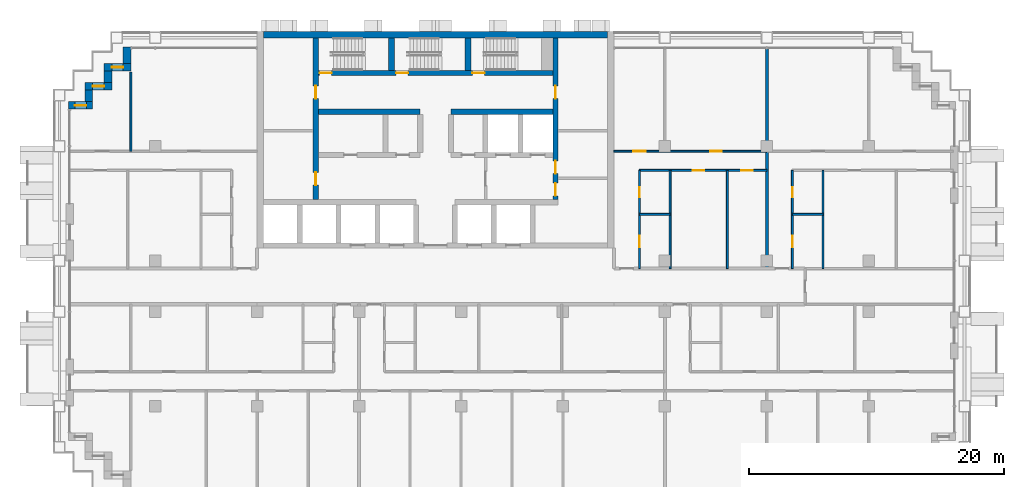
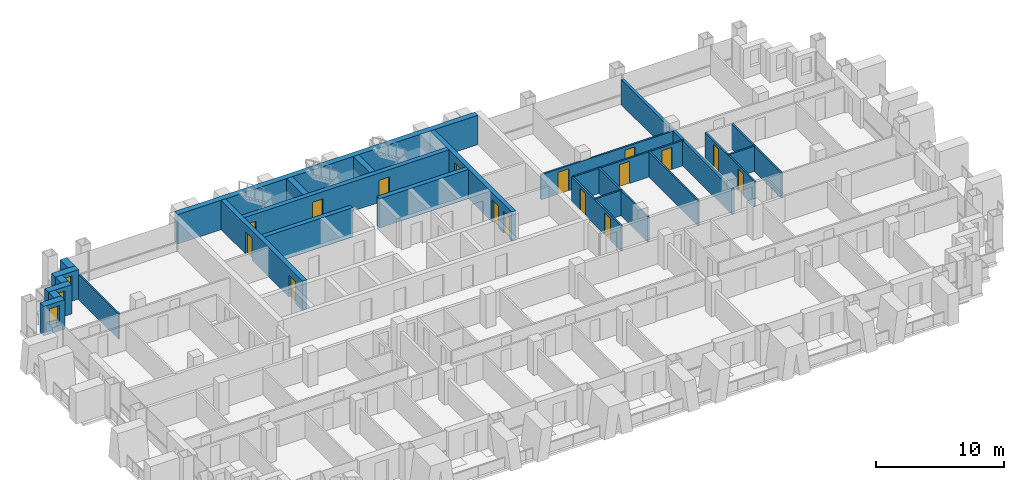
# One storey, part 12 of 18: 25 walls, 16 doors, 3 windows, 19 openings.
"""IFC4 building model written with IfcOpenShell, lengths in metres."""

import ifcopenshell
import ifcopenshell.guid

model = None  # the IFC model being written
_history = None  # IfcOwnerHistory: only IFC2X3 demands one
_inside = {}  # id of a spatial element -> (the spatial element, [elements in it])
_under = {}  # id of a project, library or spatial element -> (it, [spatial elements below it])
_declared = {}  # id of a project -> (the project, [libraries it declares])
_typed = {}  # id of a type object -> (the type object, [elements of that type])
_made_of = {}  # id of a material, layer set ... -> (it, [elements and type objects made of it])


def new_model(schema):
    """Start an empty IFC model of exactly this schema.

    Asked for "IFC4X3", IfcOpenShell would pick the latest addendum, in which some entities
    have other attributes; the version numbers below select the first issue.
    IFC2X3 requires an IfcOwnerHistory on every rooted entity: one is made here for all.
    """
    global model, _history
    if schema == "IFC4X3":
        model = ifcopenshell.file(schema_version=(4, 3, 0, 0))
    else:
        model = ifcopenshell.file(schema=schema)
    _inside.clear()
    _under.clear()
    _declared.clear()
    _typed.clear()
    _made_of.clear()
    _history = None
    if model.schema == "IFC2X3":
        org = make("IfcOrganization", Name="unknown")
        user = make(
            "IfcPersonAndOrganization",
            ThePerson=make("IfcPerson", FamilyName="unknown"),
            TheOrganization=org,
        )
        app = make(
            "IfcApplication",
            ApplicationDeveloper=org,
            Version="unknown",
            ApplicationFullName="unknown",
            ApplicationIdentifier="unknown",
        )
        _history = make(
            "IfcOwnerHistory",
            OwningUser=user,
            OwningApplication=app,
            ChangeAction="ADDED",
            CreationDate=0,
        )
    return model


def make(cls, **values):
    """One entity of the class cls with the attributes given. An attribute that is None is left unset."""
    return model.create_entity(
        cls, **{name: value for name, value in values.items() if value is not None}
    )


def rooted(cls, **values):
    """An entity with a GlobalId (a new one), such as an element, a storey or a relation."""
    return make(cls, GlobalId=ifcopenshell.guid.new(), OwnerHistory=_history, **values)


def si_unit(unit_type, name, prefix=None):
    """IfcSIUnit, for example si_unit("LENGTHUNIT", "METRE", prefix="MILLI")."""
    return make("IfcSIUnit", UnitType=unit_type, Prefix=prefix, Name=name)


def assignment(units):
    """IfcUnitAssignment: the units of a project."""
    return None if units is None else make("IfcUnitAssignment", Units=units)


def point(xyz):
    """IfcCartesianPoint."""
    return None if xyz is None else make("IfcCartesianPoint", Coordinates=xyz)


def direction(xyz):
    """IfcDirection."""
    return None if xyz is None else make("IfcDirection", DirectionRatios=xyz)


def frame(location, z_axis=None, x_axis=None):
    """IfcAxis2Placement3D, a coordinate frame: its origin and axes. An axis left out is left unset."""
    return make(
        "IfcAxis2Placement3D",
        Location=point(location),
        Axis=direction(z_axis),
        RefDirection=direction(x_axis),
    )


def frame_2d(location, x_axis=None):
    """IfcAxis2Placement2D, a coordinate frame in the plane: its origin and x axis."""
    return make(
        "IfcAxis2Placement2D", Location=point(location), RefDirection=direction(x_axis)
    )


def origin():
    """The frame at (0, 0, 0) with its axes left unset."""
    return frame((0.0, 0.0, 0.0))


def place(relative_to, where):
    """IfcLocalPlacement: puts the frame where relative to a parent placement (None: the world)."""
    return make(
        "IfcLocalPlacement", PlacementRelTo=relative_to, RelativePlacement=where
    )


def context(
    kind, dimensions, precision=None, world=None, true_north=None, identifier=None
):
    """IfcGeometricRepresentationContext, for example the 3D "Model" context."""
    return make(
        "IfcGeometricRepresentationContext",
        ContextIdentifier=identifier,
        ContextType=kind,
        CoordinateSpaceDimension=dimensions,
        Precision=precision,
        WorldCoordinateSystem=world,
        TrueNorth=true_north,
    )


def subcontext(parent, identifier, kind, view, scale=None):
    """IfcGeometricRepresentationSubContext, for example "Body" below "Model"."""
    return make(
        "IfcGeometricRepresentationSubContext",
        ContextIdentifier=identifier,
        ContextType=kind,
        ParentContext=parent,
        TargetScale=scale,
        TargetView=view,
    )


def project(units=None, contexts=None):
    """IfcProject with its units and contexts."""
    return rooted(
        "IfcProject",
        Name="project",
        RepresentationContexts=contexts,
        UnitsInContext=assignment(units),
    )


def spatial(cls, under=None, at=None, **own):
    """A site, building, storey or space (cls), placed at a placement, below another one or the project."""
    s = rooted(cls, ObjectPlacement=at, **own)
    if under is not None:
        _under.setdefault(under.id(), (under, []))[1].append(s)
    return s


def profile(cls, at=None, kind="AREA", **sizes):
    """A parametric profile (cls). Its sizes go by their IFC names, for example OverallWidth=200.0."""
    return make(cls, ProfileType=kind, Position=at, **sizes)


def rectangle(**sizes):
    """IfcRectangleProfileDef."""
    return profile("IfcRectangleProfileDef", **sizes)


def extrude(swept, where, along, depth):
    """IfcExtrudedAreaSolid: the profile swept, set in the frame where, extruded along a direction by depth."""
    return make(
        "IfcExtrudedAreaSolid",
        SweptArea=swept,
        Position=where,
        ExtrudedDirection=direction(along),
        Depth=depth,
    )


def shape(context_of_items, identifier, shape_type, items):
    """IfcShapeRepresentation: the items that make up one representation, for example the "Body"."""
    return make(
        "IfcShapeRepresentation",
        ContextOfItems=context_of_items,
        RepresentationIdentifier=identifier,
        RepresentationType=shape_type,
        Items=items,
    )


def material(Name=None, Category=None):
    """IfcMaterial."""
    return make("IfcMaterial", Name=Name, Category=Category)


def layer(
    of_material, thickness, ventilated=None, Name=None, Category=None, Priority=None
):
    """IfcMaterialLayer: one layer of a wall or slab, of a material (None: an air gap)."""
    return make(
        "IfcMaterialLayer",
        Material=of_material,
        LayerThickness=thickness,
        IsVentilated=ventilated,
        Name=Name,
        Category=Category,
        Priority=Priority,
    )


def layer_set(layers, Name=None):
    """IfcMaterialLayerSet."""
    return make("IfcMaterialLayerSet", MaterialLayers=layers, LayerSetName=Name)


def made_of(thing, what):
    """Note that an element or type object is made of a material, layer set ...; save() writes the relation."""
    if what is not None:
        _made_of.setdefault(what.id(), (what, []))[1].append(thing)
    return thing


def type_object(cls, material=None, **own):
    """A type object (cls), such as IfcWallType, which elements share."""
    return made_of(rooted(cls, **own), material)


def element(
    cls,
    number,
    at=None,
    inside=None,
    cuts=None,
    type_object=None,
    material=None,
    context=None,
    identifier="Body",
    shape_type=None,
    held_by="IfcProductDefinitionShape",
    body=None,
    shapes=None,
    **own,
):
    """One element of the class cls, such as IfcWall. Its Tag is "e" and its number.

    at: its placement. inside: the storey or other place that contains it. cuts: it is an
    opening in that element (IfcRelVoidsElement). A single representation is given by context,
    identifier, shape_type and body (its items); several are given by shapes. held_by: the class
    of the entity that holds the representations. save() writes the other relations.
    """
    e = rooted(cls, Tag="e%d" % number, ObjectPlacement=at, **own)
    if body is not None:
        shapes = [shape(context, identifier, shape_type, body)]
    if shapes is not None:
        e.Representation = make(held_by, Representations=shapes)
    if inside is not None:
        _inside.setdefault(inside.id(), (inside, []))[1].append(e)
    if cuts is not None:
        rooted(
            "IfcRelVoidsElement", RelatingBuildingElement=cuts, RelatedOpeningElement=e
        )
    if type_object is not None:
        _typed.setdefault(type_object.id(), (type_object, []))[1].append(e)
    return made_of(e, material)


def fill(opening, filler):
    """IfcRelFillsElement: the door or window that sits in an opening."""
    return rooted(
        "IfcRelFillsElement",
        RelatingOpeningElement=opening,
        RelatedBuildingElement=filler,
    )


def aggregate(whole, parts):
    """IfcRelAggregates: a whole, such as a stair, and the parts it consists of."""
    return rooted("IfcRelAggregates", RelatingObject=whole, RelatedObjects=parts)


def save(model, path):
    """Write the relations noted so far, then the file.

    IfcRelAggregates (storeys below a building ...), IfcRelContainedInSpatialStructure (elements
    in a storey), IfcRelDefinesByType, IfcRelAssociatesMaterial and IfcRelDeclares: one each for
    every whole, place, type object, material and project.
    """
    for whole, parts in _under.values():
        aggregate(whole, parts)
    for where, things in _inside.values():
        rooted(
            "IfcRelContainedInSpatialStructure",
            RelatedElements=things,
            RelatingStructure=where,
        )
    for kind, things in _typed.values():
        rooted("IfcRelDefinesByType", RelatedObjects=things, RelatingType=kind)
    for what, things in _made_of.values():
        rooted("IfcRelAssociatesMaterial", RelatedObjects=things, RelatingMaterial=what)
    for by, libraries in _declared.values():
        rooted("IfcRelDeclares", RelatingContext=by, RelatedDefinitions=libraries)
    model.write(path)


model = new_model("IFC4")

# Units and contexts
model_context = context("Model", 3, precision=1e-05, world=origin(), true_north=direction((0.0, 1.0)))
body_context = subcontext(model_context, "Body", "Model", "MODEL_VIEW")
ifc_project = project(units=[si_unit("LENGTHUNIT", "METRE"), si_unit("AREAUNIT", "SQUARE_METRE"), si_unit("VOLUMEUNIT", "CUBIC_METRE"), si_unit("PLANEANGLEUNIT", "RADIAN"), si_unit("MASSUNIT", "GRAM", prefix="KILO")], contexts=[model_context])

# Site, building, storey
site_placement = place(None, origin())
site = spatial("IfcSite", under=ifc_project, at=site_placement, CompositionType="ELEMENT")
building_placement = place(site_placement, origin())
building = spatial("IfcBuilding", under=site, at=building_placement, Name="Vidyagriha Tower", CompositionType="ELEMENT")
storey_placement = place(building_placement, frame((0.0, 0.0, 103.10009765625)))
storey = spatial("IfcBuildingStorey", under=building, at=storey_placement, Name="L27", CompositionType="ELEMENT", Elevation=103.10009765625)

# Wall
ifc_material_1 = material(Name="Precast concrete C40/50 with brick facing", Category="concrete")
ifc_layer_1 = layer(ifc_material_1, 0.60009765625)
ifc_layer_set_1 = layer_set([ifc_layer_1], Name="Precast concrete C40/50 with brick facing")
wall_type_1 = type_object("IfcWallType", Name="Brick-faced precast wall 600", PredefinedType="STANDARD", material=ifc_layer_set_1)
wall_1_placement = place(storey_placement, frame((-24.199951171875, 18.780029296875, 0.0), z_axis=(0.0, 0.0, 1.0), x_axis=(0.0, -1.0, 0.0)))
element("IfcWall", 1, at=wall_1_placement, inside=storey, type_object=wall_type_1, Name="Stepped corner wall L27 R10", PredefinedType="STANDARD", context=body_context, shape_type="SweptSolid", body=[
    extrude(rectangle(XDim=1.280029296875, YDim=0.60009765625, at=frame_2d((0.64013671875, 0.0))), origin(), (0.0, 0.0, 1.0), 2.7998046875),
])

# Wall, opening, window
wall_2_placement = place(storey_placement, frame((-23.89990234375, 17.199951171875, 0.0), z_axis=(0.0, 0.0, 1.0), x_axis=(-1.0, 0.0, 0.0)))
wall_2 = element("IfcWall", 2, at=wall_2_placement, inside=storey, type_object=wall_type_1, Name="Stepped corner wall L27 R11", PredefinedType="STANDARD", context=body_context, shape_type="SweptSolid", body=[
    extrude(rectangle(XDim=2.10009765625, YDim=0.60009765625, at=frame_2d((1.050048828125, 0.0))), origin(), (0.0, 0.0, 1.0), 2.7998046875),
])
opening_1_placement = place(wall_2_placement, frame((0.60009765625, 0.0, 0.89990234375)))
opening_1 = element("IfcOpeningElement", 3, at=opening_1_placement, cuts=wall_2, Name="Opening WN1", PredefinedType="OPENING", context=body_context, shape_type="SweptSolid", body=[
    extrude(rectangle(XDim=0.89990234375, YDim=1.5, at=frame_2d((0.449951171875, 0.75))), frame((0.0, 0.31005859375, 0.0), z_axis=(0.0, -1.0, 0.0), x_axis=(1.0, 0.0, 0.0)), (0.0, 0.0, 1.0), 0.6201171875),
])
ifc_material_2 = material(Name="Aluminium and glass window", Category="aluminium")
window_type = type_object("IfcWindowType", Name="Reveal window 900x1500", PartitioningType="NOTDEFINED", PredefinedType="WINDOW", material=ifc_material_2)
window_1_placement = place(opening_1_placement, origin())
window_1 = element("IfcWindow", 4, at=window_1_placement, inside=storey, type_object=window_type, Name="Reveal window L27 R11", OverallHeight=1.5, OverallWidth=0.89990234375, PartitioningType="SINGLE_PANEL", PredefinedType="WINDOW", context=body_context, shape_type="SweptSolid", body=[
    extrude(rectangle(XDim=0.89990234375, YDim=1.5, at=frame_2d((0.449951171875, 0.75))), frame((0.0, 0.030029296875, 0.0), z_axis=(0.0, -1.0, 0.0), x_axis=(1.0, 0.0, 0.0)), (0.0, 0.0, 1.0), 0.06005859375),
])
fill(opening_1, window_1)

# Wall
wall_3_placement = place(storey_placement, frame((-25.699951171875, 16.89990234375, 0.0), z_axis=(0.0, 0.0, 1.0), x_axis=(0.0, -1.0, 0.0)))
element("IfcWall", 5, at=wall_3_placement, inside=storey, type_object=wall_type_1, Name="Stepped corner wall L27 R12", PredefinedType="STANDARD", context=body_context, shape_type="SweptSolid", body=[
    extrude(rectangle(XDim=0.89990234375, YDim=0.60009765625, at=frame_2d((0.449951171875, 0.0))), origin(), (0.0, 0.0, 1.0), 2.7998046875),
])

# Wall, opening, window
wall_4_placement = place(storey_placement, frame((-25.39990234375, 15.699951171875, 0.0), z_axis=(0.0, 0.0, 1.0), x_axis=(-1.0, 0.0, 0.0)))
wall_4 = element("IfcWall", 6, at=wall_4_placement, inside=storey, type_object=wall_type_1, Name="Stepped corner wall L27 R13", PredefinedType="STANDARD", context=body_context, shape_type="SweptSolid", body=[
    extrude(rectangle(XDim=2.10009765625, YDim=0.60009765625, at=frame_2d((1.050048828125, 0.0))), origin(), (0.0, 0.0, 1.0), 2.7998046875),
])
opening_2_placement = place(wall_4_placement, frame((0.60009765625, 0.0, 0.89990234375)))
opening_2 = element("IfcOpeningElement", 7, at=opening_2_placement, cuts=wall_4, Name="Opening WN1", PredefinedType="OPENING", context=body_context, shape_type="SweptSolid", body=[
    extrude(rectangle(XDim=0.89990234375, YDim=1.5, at=frame_2d((0.449951171875, 0.75))), frame((0.0, 0.31005859375, 0.0), z_axis=(0.0, -1.0, 0.0), x_axis=(1.0, 0.0, 0.0)), (0.0, 0.0, 1.0), 0.6201171875),
])
window_2_placement = place(opening_2_placement, origin())
window_2 = element("IfcWindow", 8, at=window_2_placement, inside=storey, type_object=window_type, Name="Reveal window L27 R13", OverallHeight=1.5, OverallWidth=0.89990234375, PartitioningType="SINGLE_PANEL", PredefinedType="WINDOW", context=body_context, shape_type="SweptSolid", body=[
    extrude(rectangle(XDim=0.89990234375, YDim=1.5, at=frame_2d((0.449951171875, 0.75))), frame((0.0, 0.030029296875, 0.0), z_axis=(0.0, -1.0, 0.0), x_axis=(1.0, 0.0, 0.0)), (0.0, 0.0, 1.0), 0.06005859375),
])
fill(opening_2, window_2)

# Wall
wall_5_placement = place(storey_placement, frame((-27.199951171875, 15.39990234375, 0.0), z_axis=(0.0, 0.0, 1.0), x_axis=(0.0, -1.0, 0.0)))
element("IfcWall", 9, at=wall_5_placement, inside=storey, type_object=wall_type_1, Name="Stepped corner wall L27 R14", PredefinedType="STANDARD", context=body_context, shape_type="SweptSolid", body=[
    extrude(rectangle(XDim=0.89990234375, YDim=0.60009765625, at=frame_2d((0.449951171875, 0.0))), origin(), (0.0, 0.0, 1.0), 2.7998046875),
])

# Wall, opening, window
wall_6_placement = place(storey_placement, frame((-26.89990234375, 14.199951171875, 0.0), z_axis=(0.0, 0.0, 1.0), x_axis=(-1.0, 0.0, 0.0)))
wall_6 = element("IfcWall", 10, at=wall_6_placement, inside=storey, type_object=wall_type_1, Name="Stepped corner wall L27 R15", PredefinedType="STANDARD", context=body_context, shape_type="SweptSolid", body=[
    extrude(rectangle(XDim=1.880126953125, YDim=0.60009765625, at=frame_2d((0.93994140625, 0.0))), origin(), (0.0, 0.0, 1.0), 2.7998046875),
])
opening_3_placement = place(wall_6_placement, frame((0.489990234375, 0.0, 0.89990234375)))
opening_3 = element("IfcOpeningElement", 11, at=opening_3_placement, cuts=wall_6, Name="Opening WN1", PredefinedType="OPENING", context=body_context, shape_type="SweptSolid", body=[
    extrude(rectangle(XDim=0.89990234375, YDim=1.5, at=frame_2d((0.449951171875, 0.75))), frame((0.0, 0.31005859375, 0.0), z_axis=(0.0, -1.0, 0.0), x_axis=(1.0, 0.0, 0.0)), (0.0, 0.0, 1.0), 0.6201171875),
])
window_3_placement = place(opening_3_placement, origin())
window_3 = element("IfcWindow", 12, at=window_3_placement, inside=storey, type_object=window_type, Name="Reveal window L27 R15", OverallHeight=1.5, OverallWidth=0.89990234375, PartitioningType="SINGLE_PANEL", PredefinedType="WINDOW", context=body_context, shape_type="SweptSolid", body=[
    extrude(rectangle(XDim=0.89990234375, YDim=1.5, at=frame_2d((0.449951171875, 0.75))), frame((0.0, 0.030029296875, 0.0), z_axis=(0.0, -1.0, 0.0), x_axis=(1.0, 0.0, 0.0)), (0.0, 0.0, 1.0), 0.06005859375),
])
fill(opening_3, window_3)

# Wall, openings, doors
ifc_material_3 = material(Name="Concrete C60/75", Category="concrete")
ifc_layer_2 = layer(ifc_material_3, 0.39990234375)
ifc_layer_set_2 = layer_set([ifc_layer_2], Name="Concrete C60/75")
wall_type_2 = type_object("IfcWallType", Name="Core shear wall 400 mm", PredefinedType="SHEAR", material=ifc_layer_set_2)
wall_7_placement = place(storey_placement, frame((-9.39990234375, 6.800048828125, 0.0), z_axis=(0.0, 0.0, 1.0), x_axis=(0.0, 1.0, 0.0)))
wall_7 = element("IfcWall", 13, at=wall_7_placement, inside=storey, type_object=wall_type_2, Name="Core west spine wall", PredefinedType="SHEAR", context=body_context, shape_type="SweptSolid", body=[
    extrude(rectangle(XDim=12.699951171875, YDim=0.39990234375, at=frame_2d((6.35009765625, 0.0))), origin(), (0.0, 0.0, 1.0), 2.7998046875),
])
opening_4_placement = place(wall_7_placement, frame((1.14990234375, 0.0, 0.0)))
opening_4 = element("IfcOpeningElement", 14, at=opening_4_placement, cuts=wall_7, Name="Opening D27-09", PredefinedType="OPENING", context=body_context, shape_type="SweptSolid", body=[
    extrude(rectangle(XDim=1.0, YDim=2.10009765625, at=frame_2d((0.5, 1.050048828125))), frame((0.0, 0.2099609375, 0.0), z_axis=(0.0, -1.0, 0.0), x_axis=(1.0, 0.0, 0.0)), (0.0, 0.0, 1.0), 0.419921875),
])
opening_5_placement = place(wall_7_placement, frame((7.925048828125, 0.0, 0.0)))
opening_5 = element("IfcOpeningElement", 15, at=opening_5_placement, cuts=wall_7, Name="Opening D27-10", PredefinedType="OPENING", context=body_context, shape_type="SweptSolid", body=[
    extrude(rectangle(XDim=1.0, YDim=2.10009765625, at=frame_2d((0.5, 1.050048828125))), frame((0.0, 0.2099609375, 0.0), z_axis=(0.0, -1.0, 0.0), x_axis=(1.0, 0.0, 0.0)), (0.0, 0.0, 1.0), 0.419921875),
])
ifc_material_4 = material(Name="Hollow metal door leaf")
door_type_1 = type_object("IfcDoorType", Name="Core room door 1000 x 2100 mm EI 60", OperationType="NOTDEFINED", PredefinedType="DOOR", material=ifc_material_4)
door_1_placement = place(opening_4_placement, frame((1.0, 0.0, 0.0), z_axis=(0.0, 0.0, 1.0), x_axis=(-1.0, 0.0, 0.0)))
door_1 = element("IfcDoor", 16, at=door_1_placement, inside=storey, type_object=door_type_1, Name="Door Cleaners Store 27.W1", OperationType="SINGLE_SWING_RIGHT", OverallHeight=2.10009765625, OverallWidth=1.0, PredefinedType="DOOR", context=body_context, shape_type="SweptSolid", body=[
    extrude(rectangle(XDim=1.0, YDim=2.10009765625, at=frame_2d((0.5, 1.050048828125))), frame((0.0, 0.02490234375, 0.0), z_axis=(0.0, -1.0, 0.0), x_axis=(1.0, 0.0, 0.0)), (0.0, 0.0, 1.0), 0.050048828125),
])
fill(opening_4, door_1)
door_2_placement = place(opening_5_placement, frame((1.0, 0.0, 0.0), z_axis=(0.0, 0.0, 1.0), x_axis=(-1.0, 0.0, 0.0)))
door_2 = element("IfcDoor", 17, at=door_2_placement, inside=storey, type_object=door_type_1, Name="Door Pressurisation Plant Room 27.W2", OperationType="SINGLE_SWING_LEFT", OverallHeight=2.10009765625, OverallWidth=1.0, PredefinedType="DOOR", context=body_context, shape_type="SweptSolid", body=[
    extrude(rectangle(XDim=1.0, YDim=2.10009765625, at=frame_2d((0.5, 1.050048828125))), frame((0.0, 0.02490234375, 0.0), z_axis=(0.0, -1.0, 0.0), x_axis=(1.0, 0.0, 0.0)), (0.0, 0.0, 1.0), 0.050048828125),
])
fill(opening_5, door_2)

wall_8_placement = place(storey_placement, frame((9.39990234375, 6.800048828125, 0.0), z_axis=(0.0, 0.0, 1.0), x_axis=(0.0, 1.0, 0.0)))
wall_8 = element("IfcWall", 18, at=wall_8_placement, inside=storey, type_object=wall_type_2, Name="Core east spine wall", PredefinedType="SHEAR", context=body_context, shape_type="SweptSolid", body=[
    extrude(rectangle(XDim=12.699951171875, YDim=0.39990234375, at=frame_2d((6.35009765625, 0.0))), origin(), (0.0, 0.0, 1.0), 2.7998046875),
])
opening_6_placement = place(wall_8_placement, frame((0.300048828125, 0.0, 0.0)))
opening_6 = element("IfcOpeningElement", 19, at=opening_6_placement, cuts=wall_8, Name="Opening D27-11", PredefinedType="OPENING", context=body_context, shape_type="SweptSolid", body=[
    extrude(rectangle(XDim=1.0, YDim=2.10009765625, at=frame_2d((0.5, 1.050048828125))), frame((0.0, 0.2099609375, 0.0), z_axis=(0.0, -1.0, 0.0), x_axis=(1.0, 0.0, 0.0)), (0.0, 0.0, 1.0), 0.419921875),
])
opening_7_placement = place(wall_8_placement, frame((2.050048828125, 0.0, 0.0)))
opening_7 = element("IfcOpeningElement", 20, at=opening_7_placement, cuts=wall_8, Name="Opening D27-12", PredefinedType="OPENING", context=body_context, shape_type="SweptSolid", body=[
    extrude(rectangle(XDim=1.0, YDim=2.10009765625, at=frame_2d((0.5, 1.050048828125))), frame((0.0, 0.2099609375, 0.0), z_axis=(0.0, -1.0, 0.0), x_axis=(1.0, 0.0, 0.0)), (0.0, 0.0, 1.0), 0.419921875),
])
opening_8_placement = place(wall_8_placement, frame((7.925048828125, 0.0, 0.0)))
opening_8 = element("IfcOpeningElement", 21, at=opening_8_placement, cuts=wall_8, Name="Opening D27-13", PredefinedType="OPENING", context=body_context, shape_type="SweptSolid", body=[
    extrude(rectangle(XDim=1.0, YDim=2.10009765625, at=frame_2d((0.5, 1.050048828125))), frame((0.0, 0.2099609375, 0.0), z_axis=(0.0, -1.0, 0.0), x_axis=(1.0, 0.0, 0.0)), (0.0, 0.0, 1.0), 0.419921875),
])
door_3_placement = place(opening_6_placement, origin())
door_3 = element("IfcDoor", 22, at=door_3_placement, inside=storey, type_object=door_type_1, Name="Door Pressurisation Plant Room 27.E1", OperationType="SINGLE_SWING_RIGHT", OverallHeight=2.10009765625, OverallWidth=1.0, PredefinedType="DOOR", context=body_context, shape_type="SweptSolid", body=[
    extrude(rectangle(XDim=1.0, YDim=2.10009765625, at=frame_2d((0.5, 1.050048828125))), frame((0.0, 0.02490234375, 0.0), z_axis=(0.0, -1.0, 0.0), x_axis=(1.0, 0.0, 0.0)), (0.0, 0.0, 1.0), 0.050048828125),
])
fill(opening_6, door_3)
door_4_placement = place(opening_7_placement, origin())
door_4 = element("IfcDoor", 23, at=door_4_placement, inside=storey, type_object=door_type_1, Name="Door Switchgear Room 27.E2", OperationType="SINGLE_SWING_LEFT", OverallHeight=2.10009765625, OverallWidth=1.0, PredefinedType="DOOR", context=body_context, shape_type="SweptSolid", body=[
    extrude(rectangle(XDim=1.0, YDim=2.10009765625, at=frame_2d((0.5, 1.050048828125))), frame((0.0, 0.02490234375, 0.0), z_axis=(0.0, -1.0, 0.0), x_axis=(1.0, 0.0, 0.0)), (0.0, 0.0, 1.0), 0.050048828125),
])
fill(opening_7, door_4)
door_5_placement = place(opening_8_placement, origin())
door_5 = element("IfcDoor", 24, at=door_5_placement, inside=storey, type_object=door_type_1, Name="Door Communications Room 27.E3", OperationType="SINGLE_SWING_LEFT", OverallHeight=2.10009765625, OverallWidth=1.0, PredefinedType="DOOR", context=body_context, shape_type="SweptSolid", body=[
    extrude(rectangle(XDim=1.0, YDim=2.10009765625, at=frame_2d((0.5, 1.050048828125))), frame((0.0, 0.02490234375, 0.0), z_axis=(0.0, -1.0, 0.0), x_axis=(1.0, 0.0, 0.0)), (0.0, 0.0, 1.0), 0.050048828125),
])
fill(opening_8, door_5)

# Walls
for number, where, name in (
    (25, (-9.199951171875, 13.699951171875, 0.0), "Core row N rear wall"),
    (26, (1.199951171875, 13.699951171875, 0.0), "Core row N rear wall"),
):
    element("IfcWall", number, at=place(storey_placement, frame(where)), inside=storey, type_object=wall_type_2, Name=name, PredefinedType="SHEAR", context=body_context, shape_type="SweptSolid", body=[
        extrude(rectangle(XDim=8.0, YDim=0.39990234375, at=frame_2d((4.0, 0.0))), origin(), (0.0, 0.0, 1.0), 2.7998046875),
    ])

# Wall, openings, doors
wall_9_placement = place(storey_placement, frame((-9.199951171875, 16.75, 0.0)))
wall_9 = element("IfcWall", 27, at=wall_9_placement, inside=storey, type_object=wall_type_2, Name="Stair front wall", PredefinedType="SHEAR", context=body_context, shape_type="SweptSolid", body=[
    extrude(rectangle(XDim=18.39990234375, YDim=0.39990234375, at=frame_2d((9.199951171875, 0.0))), origin(), (0.0, 0.0, 1.0), 2.7998046875),
])
opening_9_placement = place(wall_9_placement, frame((0.10009765625, 0.0, 0.0)))
opening_9 = element("IfcOpeningElement", 28, at=opening_9_placement, cuts=wall_9, Name="Opening D27-06", PredefinedType="OPENING", context=body_context, shape_type="SweptSolid", body=[
    extrude(rectangle(XDim=0.949951171875, YDim=2.10009765625, at=frame_2d((0.47509765625, 1.050048828125))), frame((0.0, 0.2099609375, 0.0), z_axis=(0.0, -1.0, 0.0), x_axis=(1.0, 0.0, 0.0)), (0.0, 0.0, 1.0), 0.419921875),
])
opening_10_placement = place(wall_9_placement, frame((6.10009765625, 0.0, 0.0)))
opening_10 = element("IfcOpeningElement", 29, at=opening_10_placement, cuts=wall_9, Name="Opening D27-07", PredefinedType="OPENING", context=body_context, shape_type="SweptSolid", body=[
    extrude(rectangle(XDim=0.949951171875, YDim=2.10009765625, at=frame_2d((0.47509765625, 1.050048828125))), frame((0.0, 0.2099609375, 0.0), z_axis=(0.0, -1.0, 0.0), x_axis=(1.0, 0.0, 0.0)), (0.0, 0.0, 1.0), 0.419921875),
])
opening_11_placement = place(wall_9_placement, frame((12.10009765625, 0.0, 0.0)))
opening_11 = element("IfcOpeningElement", 30, at=opening_11_placement, cuts=wall_9, Name="Opening D27-08", PredefinedType="OPENING", context=body_context, shape_type="SweptSolid", body=[
    extrude(rectangle(XDim=0.949951171875, YDim=2.10009765625, at=frame_2d((0.47509765625, 1.050048828125))), frame((0.0, 0.2099609375, 0.0), z_axis=(0.0, -1.0, 0.0), x_axis=(1.0, 0.0, 0.0)), (0.0, 0.0, 1.0), 0.419921875),
])
ifc_material_5 = material(Name="Hollow metal door leaf")
door_type_2 = type_object("IfcDoorType", Name="Exit stair door 950 x 2100 mm EI 90", OperationType="NOTDEFINED", PredefinedType="DOOR", material=ifc_material_5)
door_6_placement = place(opening_9_placement, origin())
door_6 = element("IfcDoor", 31, at=door_6_placement, inside=storey, type_object=door_type_2, Name="Stair door ST1 L27", OperationType="SINGLE_SWING_LEFT", OverallHeight=2.10009765625, OverallWidth=0.949951171875, PredefinedType="DOOR", context=body_context, shape_type="SweptSolid", body=[
    extrude(rectangle(XDim=0.949951171875, YDim=2.10009765625, at=frame_2d((0.47509765625, 1.050048828125))), frame((0.0, 0.02490234375, 0.0), z_axis=(0.0, -1.0, 0.0), x_axis=(1.0, 0.0, 0.0)), (0.0, 0.0, 1.0), 0.050048828125),
])
fill(opening_9, door_6)
door_7_placement = place(opening_10_placement, origin())
door_7 = element("IfcDoor", 32, at=door_7_placement, inside=storey, type_object=door_type_2, Name="Stair door ST2 L27", OperationType="SINGLE_SWING_LEFT", OverallHeight=2.10009765625, OverallWidth=0.949951171875, PredefinedType="DOOR", context=body_context, shape_type="SweptSolid", body=[
    extrude(rectangle(XDim=0.949951171875, YDim=2.10009765625, at=frame_2d((0.47509765625, 1.050048828125))), frame((0.0, 0.02490234375, 0.0), z_axis=(0.0, -1.0, 0.0), x_axis=(1.0, 0.0, 0.0)), (0.0, 0.0, 1.0), 0.050048828125),
])
fill(opening_10, door_7)
door_8_placement = place(opening_11_placement, origin())
door_8 = element("IfcDoor", 33, at=door_8_placement, inside=storey, type_object=door_type_2, Name="Stair door ST3 L27", OperationType="SINGLE_SWING_LEFT", OverallHeight=2.10009765625, OverallWidth=0.949951171875, PredefinedType="DOOR", context=body_context, shape_type="SweptSolid", body=[
    extrude(rectangle(XDim=0.949951171875, YDim=2.10009765625, at=frame_2d((0.47509765625, 1.050048828125))), frame((0.0, 0.02490234375, 0.0), z_axis=(0.0, -1.0, 0.0), x_axis=(1.0, 0.0, 0.0)), (0.0, 0.0, 1.0), 0.050048828125),
])
fill(opening_11, door_8)

# Walls
ifc_material_6 = material(Name="Concrete C60/75", Category="concrete")
ifc_layer_3 = layer(ifc_material_6, 0.5)
ifc_layer_set_3 = layer_set([ifc_layer_3], Name="Concrete C60/75")
wall_type_3 = type_object("IfcWallType", Name="Core shear wall 500 mm", PredefinedType="SHEAR", material=ifc_layer_set_3)
wall_10_placement = place(storey_placement, frame((-13.5, 19.75, 0.0)))
element("IfcWall", 34, at=wall_10_placement, inside=storey, type_object=wall_type_3, Name="Core north wall", PredefinedType="SHEAR", context=body_context, shape_type="SweptSolid", body=[
    extrude(rectangle(XDim=27.0, YDim=0.5, at=frame_2d((13.5, 0.0))), origin(), (0.0, 0.0, 1.0), 2.7998046875),
])
for number, where, z_axis, x_axis, name in (
    (35, (-3.449951171875, 16.949951171875, 0.0), (0.0, 0.0, 1.0), (0.0, 1.0, 0.0), "Stair partition wall 1"),
    (36, (2.550048828125, 16.949951171875, 0.0), (0.0, 0.0, 1.0), (0.0, 1.0, 0.0), "Stair partition wall 2"),
):
    element("IfcWall", number, at=place(storey_placement, frame(where, z_axis=z_axis, x_axis=x_axis)), inside=storey, type_object=wall_type_3, Name=name, PredefinedType="SHEAR", context=body_context, shape_type="SweptSolid", body=[
        extrude(rectangle(XDim=2.550048828125, YDim=0.5, at=frame_2d((1.27490234375, 0.0))), origin(), (0.0, 0.0, 1.0), 2.7998046875),
    ])
ifc_material_7 = material(Name="Fired clay brick masonry", Category="masonry")
ifc_layer_4 = layer(ifc_material_7, 0.25)
ifc_layer_set_4 = layer_set([ifc_layer_4], Name="Fired clay brick masonry")
wall_type_4 = type_object("IfcWallType", Name="Fired clay brick demising wall 250", PredefinedType="PARTITIONING", material=ifc_layer_set_4)
wall_11_placement = place(storey_placement, frame((26.0, 18.62109375, 0.0), z_axis=(0.0, 0.0, 1.0), x_axis=(0.0, -1.0, 0.0)))
element("IfcWall", 37, at=wall_11_placement, inside=storey, type_object=wall_type_4, Name="Wall all-L27-w113", PredefinedType="PARTITIONING", context=body_context, shape_type="SweptSolid", body=[
    extrude(rectangle(XDim=17.22119140625, YDim=0.25, at=frame_2d((8.610595703125, 0.0))), origin(), (0.0, 0.0, 1.0), 2.39990234375),
])
ifc_material_8 = material(Name="Gypsum board partition")
ifc_layer_5 = layer(ifc_material_8, 0.14990234375)
ifc_layer_set_5 = layer_set([ifc_layer_5], Name="Gypsum board partition")
wall_type_5 = type_object("IfcWallType", Name="Gypsum board partition 150", PredefinedType="PARTITIONING", material=ifc_layer_set_5)
wall_12_placement = place(storey_placement, frame((-23.89990234375, 16.820068359375, 0.0), z_axis=(0.0, 0.0, 1.0), x_axis=(0.0, -1.0, 0.0)))
element("IfcWall", 38, at=wall_12_placement, inside=storey, type_object=wall_type_5, Name="Wall all-L27-w082", PredefinedType="PARTITIONING", context=body_context, shape_type="SweptSolid", body=[
    extrude(rectangle(XDim=6.219970703125, YDim=0.14990234375, at=frame_2d((3.10986328125, 0.0))), origin(), (0.0, 0.0, 1.0), 2.39990234375),
])
wall_13_placement = place(storey_placement, frame((16.0, 5.64990234375, 0.0)))
element("IfcWall", 39, at=wall_13_placement, inside=storey, type_object=wall_type_5, Name="Wall all-L27-w088", PredefinedType="PARTITIONING", context=body_context, shape_type="SweptSolid", body=[
    extrude(rectangle(XDim=2.39990234375, YDim=0.14990234375, at=frame_2d((1.199951171875, 0.0))), origin(), (0.0, 0.0, 1.0), 2.39990234375),
])
for number, where, z_axis, x_axis, name in (
    (40, (18.39990234375, 9.10009765625, 0.0), (0.0, 0.0, 1.0), (0.0, -1.0, 0.0), "Wall all-L27-w089"),
    (41, (22.89990234375, 9.10009765625, 0.0), (0.0, 0.0, 1.0), (0.0, -1.0, 0.0), "Wall all-L27-w090"),
):
    element("IfcWall", number, at=place(storey_placement, frame(where, z_axis=z_axis, x_axis=x_axis)), inside=storey, type_object=wall_type_5, Name=name, PredefinedType="PARTITIONING", context=body_context, shape_type="SweptSolid", body=[
        extrude(rectangle(XDim=7.7001953125, YDim=0.14990234375, at=frame_2d((3.85009765625, 0.0))), origin(), (0.0, 0.0, 1.0), 2.39990234375),
    ])

# Wall, openings, doors
wall_14_placement = place(storey_placement, frame((26.0, 9.10009765625, 0.0), z_axis=(0.0, 0.0, 1.0), x_axis=(-1.0, 0.0, 0.0)))
wall_14 = element("IfcWall", 42, at=wall_14_placement, inside=storey, type_object=wall_type_5, Name="Wall all-L27-w091", PredefinedType="PARTITIONING", context=body_context, shape_type="SweptSolid", body=[
    extrude(rectangle(XDim=10.0, YDim=0.14990234375, at=frame_2d((5.0, 0.0))), origin(), (0.0, 0.0, 1.0), 2.39990234375),
])
opening_12_placement = place(wall_14_placement, frame((4.89990234375, 0.0, 0.0)))
opening_12 = element("IfcOpeningElement", 43, at=opening_12_placement, cuts=wall_14, Name="Opening D27-55", PredefinedType="OPENING", context=body_context, shape_type="SweptSolid", body=[
    extrude(rectangle(XDim=0.89990234375, YDim=2.10009765625, at=frame_2d((0.449951171875, 1.050048828125))), frame((0.0, 0.0849609375, 0.0), z_axis=(0.0, -1.0, 0.0), x_axis=(1.0, 0.0, 0.0)), (0.0, 0.0, 1.0), 0.169921875),
])
opening_13_placement = place(wall_14_placement, frame((1.10009765625, 0.0, 0.0)))
opening_13 = element("IfcOpeningElement", 44, at=opening_13_placement, cuts=wall_14, Name="Opening D27-56", PredefinedType="OPENING", context=body_context, shape_type="SweptSolid", body=[
    extrude(rectangle(XDim=0.89990234375, YDim=2.10009765625, at=frame_2d((0.449951171875, 1.050048828125))), frame((0.0, 0.0849609375, 0.0), z_axis=(0.0, -1.0, 0.0), x_axis=(1.0, 0.0, 0.0)), (0.0, 0.0, 1.0), 0.169921875),
])
ifc_material_9 = material(Name="Timber door leaf", Category="wood")
door_type_3 = type_object("IfcDoorType", Name="Room door 900x2100", OperationType="NOTDEFINED", PredefinedType="DOOR", material=ifc_material_9)
door_9_placement = place(opening_12_placement, origin())
door_9 = element("IfcDoor", 45, at=door_9_placement, inside=storey, type_object=door_type_3, Name="Door D27-55", OperationType="SINGLE_SWING_RIGHT", OverallHeight=2.10009765625, OverallWidth=0.89990234375, PredefinedType="DOOR", context=body_context, shape_type="SweptSolid", body=[
    extrude(rectangle(XDim=0.89990234375, YDim=2.10009765625, at=frame_2d((0.449951171875, 1.050048828125))), frame((0.0, 0.02490234375, 0.0), z_axis=(0.0, -1.0, 0.0), x_axis=(1.0, 0.0, 0.0)), (0.0, 0.0, 1.0), 0.050048828125),
])
fill(opening_12, door_9)
door_10_placement = place(opening_13_placement, origin())
door_10 = element("IfcDoor", 46, at=door_10_placement, inside=storey, type_object=door_type_3, Name="Door D27-56", OperationType="SINGLE_SWING_RIGHT", OverallHeight=2.10009765625, OverallWidth=0.89990234375, PredefinedType="DOOR", context=body_context, shape_type="SweptSolid", body=[
    extrude(rectangle(XDim=0.89990234375, YDim=2.10009765625, at=frame_2d((0.449951171875, 1.050048828125))), frame((0.0, 0.02490234375, 0.0), z_axis=(0.0, -1.0, 0.0), x_axis=(1.0, 0.0, 0.0)), (0.0, 0.0, 1.0), 0.050048828125),
])
fill(opening_13, door_10)

wall_15_placement = place(storey_placement, frame((14.0, 10.60009765625, 0.0)))
wall_15 = element("IfcWall", 47, at=wall_15_placement, inside=storey, type_object=wall_type_5, Name="Wall all-L27-w094", PredefinedType="PARTITIONING", context=body_context, shape_type="SweptSolid", body=[
    extrude(rectangle(XDim=12.0, YDim=0.14990234375, at=frame_2d((6.0, 0.0))), origin(), (0.0, 0.0, 1.0), 2.39990234375),
])
opening_14_placement = place(wall_15_placement, frame((1.5, 0.0, 0.0)))
opening_14 = element("IfcOpeningElement", 48, at=opening_14_placement, cuts=wall_15, Name="Opening D27-57", PredefinedType="OPENING", context=body_context, shape_type="SweptSolid", body=[
    extrude(rectangle(XDim=1.0, YDim=2.10009765625, at=frame_2d((0.5, 1.050048828125))), frame((0.0, 0.0849609375, 0.0), z_axis=(0.0, -1.0, 0.0), x_axis=(1.0, 0.0, 0.0)), (0.0, 0.0, 1.0), 0.169921875),
])
opening_15_placement = place(wall_15_placement, frame((7.550048828125, 0.0, 0.0)))
opening_15 = element("IfcOpeningElement", 49, at=opening_15_placement, cuts=wall_15, Name="Opening D27-58", PredefinedType="OPENING", context=body_context, shape_type="SweptSolid", body=[
    extrude(rectangle(XDim=0.89990234375, YDim=2.10009765625, at=frame_2d((0.449951171875, 1.050048828125))), frame((0.0, 0.0849609375, 0.0), z_axis=(0.0, -1.0, 0.0), x_axis=(1.0, 0.0, 0.0)), (0.0, 0.0, 1.0), 0.169921875),
])
ifc_material_10 = material(Name="Timber door leaf", Category="wood")
door_type_4 = type_object("IfcDoorType", Name="Room door 1000x2100", OperationType="NOTDEFINED", PredefinedType="DOOR", material=ifc_material_10)
door_11_placement = place(opening_14_placement, origin())
door_11 = element("IfcDoor", 50, at=door_11_placement, inside=storey, type_object=door_type_4, Name="Door D27-57", OperationType="SINGLE_SWING_RIGHT", OverallHeight=2.10009765625, OverallWidth=1.0, PredefinedType="DOOR", context=body_context, shape_type="SweptSolid", body=[
    extrude(rectangle(XDim=1.0, YDim=2.10009765625, at=frame_2d((0.5, 1.050048828125))), frame((0.0, 0.02490234375, 0.0), z_axis=(0.0, -1.0, 0.0), x_axis=(1.0, 0.0, 0.0)), (0.0, 0.0, 1.0), 0.050048828125),
])
fill(opening_14, door_11)
door_12_placement = place(opening_15_placement, origin())
door_12 = element("IfcDoor", 51, at=door_12_placement, inside=storey, type_object=door_type_3, Name="Door D27-58", OperationType="SINGLE_SWING_RIGHT", OverallHeight=2.10009765625, OverallWidth=0.89990234375, PredefinedType="DOOR", context=body_context, shape_type="SweptSolid", body=[
    extrude(rectangle(XDim=0.89990234375, YDim=2.10009765625, at=frame_2d((0.449951171875, 1.050048828125))), frame((0.0, 0.02490234375, 0.0), z_axis=(0.0, -1.0, 0.0), x_axis=(1.0, 0.0, 0.0)), (0.0, 0.0, 1.0), 0.050048828125),
])
fill(opening_15, door_12)

# Walls
wall_16_placement = place(storey_placement, frame((28.0, 5.64990234375, 0.0)))
element("IfcWall", 52, at=wall_16_placement, inside=storey, type_object=wall_type_5, Name="Wall all-L27-w102", PredefinedType="PARTITIONING", context=body_context, shape_type="SweptSolid", body=[
    extrude(rectangle(XDim=2.39990234375, YDim=0.14990234375, at=frame_2d((1.199951171875, 0.0))), origin(), (0.0, 0.0, 1.0), 2.39990234375),
])
wall_17_placement = place(storey_placement, frame((30.39990234375, 9.10009765625, 0.0), z_axis=(0.0, 0.0, 1.0), x_axis=(0.0, -1.0, 0.0)))
element("IfcWall", 53, at=wall_17_placement, inside=storey, type_object=wall_type_5, Name="Wall all-L27-w103", PredefinedType="PARTITIONING", context=body_context, shape_type="SweptSolid", body=[
    extrude(rectangle(XDim=7.7001953125, YDim=0.14990234375, at=frame_2d((3.85009765625, 0.0))), origin(), (0.0, 0.0, 1.0), 2.39990234375),
])

# Wall, openings, doors
ifc_material_11 = material(Name="Moisture resistant gypsum board partition")
ifc_layer_6 = layer(ifc_material_11, 0.14990234375)
ifc_layer_set_6 = layer_set([ifc_layer_6], Name="Moisture resistant gypsum board partition")
wall_type_6 = type_object("IfcWallType", Name="Gypsum board wet-area partition 150", PredefinedType="PARTITIONING", material=ifc_layer_set_6)
wall_18_placement = place(storey_placement, frame((16.0, 9.10009765625, 0.0), z_axis=(0.0, 0.0, 1.0), x_axis=(0.0, -1.0, 0.0)))
wall_18 = element("IfcWall", 54, at=wall_18_placement, inside=storey, type_object=wall_type_6, Name="Wall all-L27-w085", PredefinedType="PARTITIONING", context=body_context, shape_type="SweptSolid", body=[
    extrude(rectangle(XDim=7.7001953125, YDim=0.14990234375, at=frame_2d((3.85009765625, 0.0))), origin(), (0.0, 0.0, 1.0), 2.39990234375),
])
opening_16_placement = place(wall_18_placement, frame((5.125, 0.0, 0.0)))
opening_16 = element("IfcOpeningElement", 55, at=opening_16_placement, cuts=wall_18, Name="Opening D27-53", PredefinedType="OPENING", context=body_context, shape_type="SweptSolid", body=[
    extrude(rectangle(XDim=0.89990234375, YDim=2.10009765625, at=frame_2d((0.449951171875, 1.050048828125))), frame((0.0, 0.0849609375, 0.0), z_axis=(0.0, -1.0, 0.0), x_axis=(1.0, 0.0, 0.0)), (0.0, 0.0, 1.0), 0.169921875),
])
opening_17_placement = place(wall_18_placement, frame((1.324951171875, 0.0, 0.0)))
opening_17 = element("IfcOpeningElement", 56, at=opening_17_placement, cuts=wall_18, Name="Opening D27-54", PredefinedType="OPENING", context=body_context, shape_type="SweptSolid", body=[
    extrude(rectangle(XDim=0.800048828125, YDim=2.10009765625, at=frame_2d((0.39990234375, 1.050048828125))), frame((0.0, 0.0849609375, 0.0), z_axis=(0.0, -1.0, 0.0), x_axis=(1.0, 0.0, 0.0)), (0.0, 0.0, 1.0), 0.169921875),
])
ifc_material_12 = material(Name="Timber door leaf", Category="wood")
door_type_5 = type_object("IfcDoorType", Name="Bathroom door 800x2100", OperationType="NOTDEFINED", PredefinedType="DOOR", material=ifc_material_12)
door_13_placement = place(opening_17_placement, origin())
door_13 = element("IfcDoor", 57, at=door_13_placement, inside=storey, type_object=door_type_5, Name="Door D27-54", OperationType="SINGLE_SWING_RIGHT", OverallHeight=2.10009765625, OverallWidth=0.800048828125, PredefinedType="DOOR", context=body_context, shape_type="SweptSolid", body=[
    extrude(rectangle(XDim=0.800048828125, YDim=2.10009765625, at=frame_2d((0.39990234375, 1.050048828125))), frame((0.0, 0.02490234375, 0.0), z_axis=(0.0, -1.0, 0.0), x_axis=(1.0, 0.0, 0.0)), (0.0, 0.0, 1.0), 0.050048828125),
])
fill(opening_17, door_13)
ifc_material_13 = material(Name="Timber door leaf", Category="wood")
door_type_6 = type_object("IfcDoorType", Name="Kitchen door 900x2100", OperationType="NOTDEFINED", PredefinedType="DOOR", material=ifc_material_13)
door_14_placement = place(opening_16_placement, origin())
door_14 = element("IfcDoor", 58, at=door_14_placement, inside=storey, type_object=door_type_6, Name="Door D27-53", OperationType="SINGLE_SWING_LEFT", OverallHeight=2.10009765625, OverallWidth=0.89990234375, PredefinedType="DOOR", context=body_context, shape_type="SweptSolid", body=[
    extrude(rectangle(XDim=0.89990234375, YDim=2.10009765625, at=frame_2d((0.449951171875, 1.050048828125))), frame((0.0, 0.02490234375, 0.0), z_axis=(0.0, -1.0, 0.0), x_axis=(1.0, 0.0, 0.0)), (0.0, 0.0, 1.0), 0.050048828125),
])
fill(opening_16, door_14)

wall_19_placement = place(storey_placement, frame((28.0, 9.10009765625, 0.0), z_axis=(0.0, 0.0, 1.0), x_axis=(0.0, -1.0, 0.0)))
wall_19 = element("IfcWall", 59, at=wall_19_placement, inside=storey, type_object=wall_type_6, Name="Wall all-L27-w099", PredefinedType="PARTITIONING", context=body_context, shape_type="SweptSolid", body=[
    extrude(rectangle(XDim=7.7001953125, YDim=0.14990234375, at=frame_2d((3.85009765625, 0.0))), origin(), (0.0, 0.0, 1.0), 2.39990234375),
])
opening_18_placement = place(wall_19_placement, frame((5.125, 0.0, 0.0)))
opening_18 = element("IfcOpeningElement", 60, at=opening_18_placement, cuts=wall_19, Name="Opening D27-60", PredefinedType="OPENING", context=body_context, shape_type="SweptSolid", body=[
    extrude(rectangle(XDim=0.89990234375, YDim=2.10009765625, at=frame_2d((0.449951171875, 1.050048828125))), frame((0.0, 0.0849609375, 0.0), z_axis=(0.0, -1.0, 0.0), x_axis=(1.0, 0.0, 0.0)), (0.0, 0.0, 1.0), 0.169921875),
])
opening_19_placement = place(wall_19_placement, frame((1.324951171875, 0.0, 0.0)))
opening_19 = element("IfcOpeningElement", 61, at=opening_19_placement, cuts=wall_19, Name="Opening D27-61", PredefinedType="OPENING", context=body_context, shape_type="SweptSolid", body=[
    extrude(rectangle(XDim=0.800048828125, YDim=2.10009765625, at=frame_2d((0.39990234375, 1.050048828125))), frame((0.0, 0.0849609375, 0.0), z_axis=(0.0, -1.0, 0.0), x_axis=(1.0, 0.0, 0.0)), (0.0, 0.0, 1.0), 0.169921875),
])
door_15_placement = place(opening_19_placement, origin())
door_15 = element("IfcDoor", 62, at=door_15_placement, inside=storey, type_object=door_type_5, Name="Door D27-61", OperationType="SINGLE_SWING_RIGHT", OverallHeight=2.10009765625, OverallWidth=0.800048828125, PredefinedType="DOOR", context=body_context, shape_type="SweptSolid", body=[
    extrude(rectangle(XDim=0.800048828125, YDim=2.10009765625, at=frame_2d((0.39990234375, 1.050048828125))), frame((0.0, 0.02490234375, 0.0), z_axis=(0.0, -1.0, 0.0), x_axis=(1.0, 0.0, 0.0)), (0.0, 0.0, 1.0), 0.050048828125),
])
fill(opening_19, door_15)
door_16_placement = place(opening_18_placement, origin())
door_16 = element("IfcDoor", 63, at=door_16_placement, inside=storey, type_object=door_type_6, Name="Door D27-60", OperationType="SINGLE_SWING_LEFT", OverallHeight=2.10009765625, OverallWidth=0.89990234375, PredefinedType="DOOR", context=body_context, shape_type="SweptSolid", body=[
    extrude(rectangle(XDim=0.89990234375, YDim=2.10009765625, at=frame_2d((0.449951171875, 1.050048828125))), frame((0.0, 0.02490234375, 0.0), z_axis=(0.0, -1.0, 0.0), x_axis=(1.0, 0.0, 0.0)), (0.0, 0.0, 1.0), 0.050048828125),
])
fill(opening_18, door_16)

save(model, "model.ifc")
